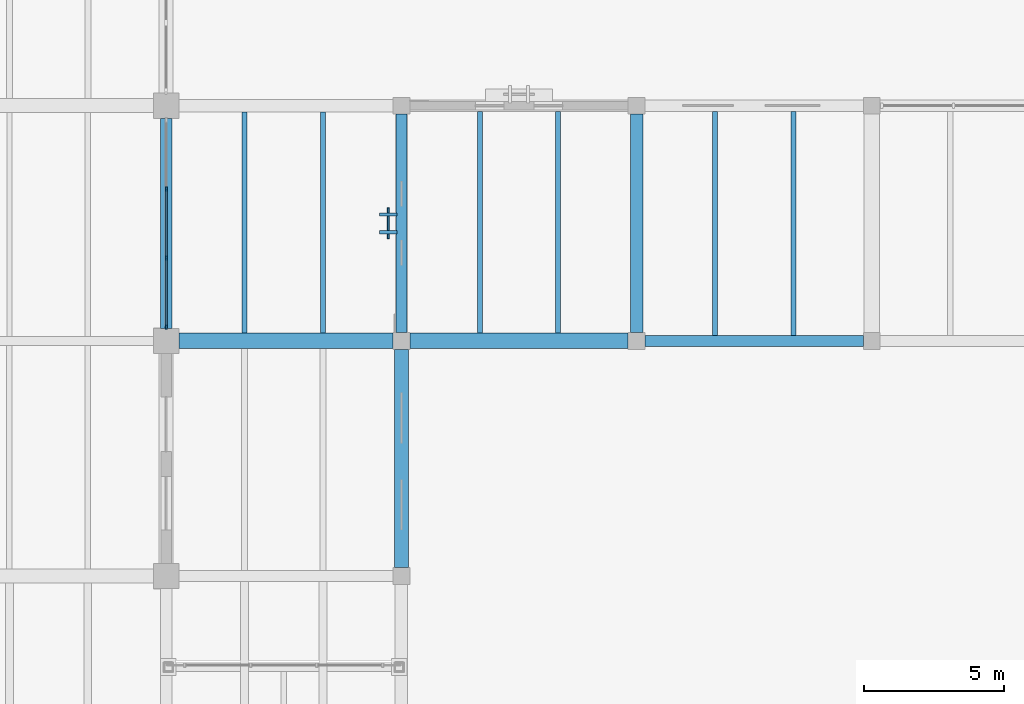
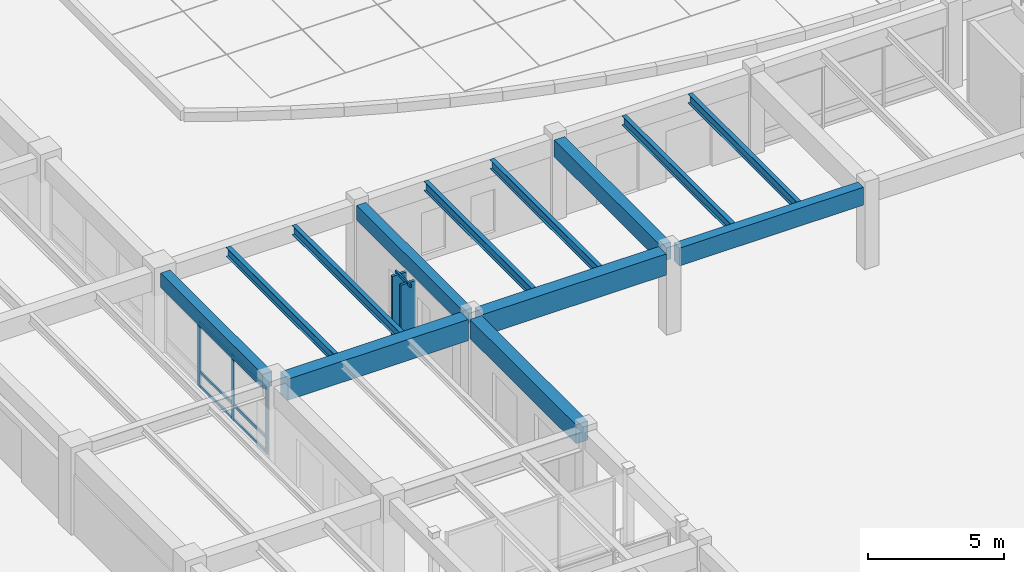
# One storey, part 32 of 135: 13 beams, 12 members, 2 elements without a shape of their own.
"""IFC4 building model written with IfcOpenShell, lengths in metres."""

from ifc_helpers import new_model, si_unit, direction, frame, origin, origin_2d, place, context, subcontext, project, spatial, rectangle, i_section, extrude, material, material_profile, profile_set, type_object, element, aggregate, save


model = new_model("IFC4")

# Units and contexts
model_context = context("Model", 3, precision=1e-05, world=origin(), true_north=direction((0.0, 1.0)))
body_context = subcontext(model_context, "Body", "Model", "MODEL_VIEW")
ifc_project = project(units=[si_unit("LENGTHUNIT", "METRE"), si_unit("AREAUNIT", "SQUARE_METRE"), si_unit("VOLUMEUNIT", "CUBIC_METRE"), si_unit("PLANEANGLEUNIT", "RADIAN"), si_unit("MASSUNIT", "GRAM", prefix="KILO")], contexts=[model_context])

# Site, building, storey
site_placement = place(None, origin())
site = spatial("IfcSite", under=ifc_project, at=site_placement, CompositionType="ELEMENT")
building_placement = place(site_placement, origin())
building = spatial("IfcBuilding", under=site, at=building_placement, Name="Cumbredor Promenade Congress Hotel", CompositionType="ELEMENT")
storey_placement = place(building_placement, origin())
storey = spatial("IfcBuildingStorey", under=building, at=storey_placement, Name="L00", CompositionType="ELEMENT", Elevation=0.0)

# Beams
ifc_material_1 = material(Name="Concrete C40/50", Category="concrete")
ifc_material_profile_1 = material_profile(ifc_material_1, rectangle(XDim=0.39990234375, YDim=0.64990234375, at=origin_2d()), Name="RC BEAM 400x650")
ifc_profile_set_1 = profile_set([ifc_material_profile_1], Name="Concrete C40/50")
beam_type_1 = type_object("IfcBeamType", Name="BM-RC-400x650", PredefinedType="BEAM", material=ifc_profile_set_1)
beam_1_placement = place(storey_placement, frame((67.199951171875, 42.449951171875, 3.31494140625), z_axis=(0.0, 1.0, 0.0), x_axis=(-1.0, 0.0, 0.0)))
element("IfcBeam", 1, at=beam_1_placement, inside=storey, type_object=beam_type_1, Name="L01 Y-Grid Beam 118", PredefinedType="BEAM", context=body_context, shape_type="SweptSolid", body=[
    extrude(rectangle(XDim=0.39990234375, YDim=0.64990234375, at=origin_2d()), origin(), (0.0, 0.0, 1.0), 7.5),
])
beam_2_placement = place(storey_placement, frame((75.60009765625, 42.300048828125, 3.31494140625), z_axis=(0.0, 1.0, 0.0), x_axis=(-1.0, 0.0, 0.0)))
element("IfcBeam", 2, at=beam_2_placement, inside=storey, type_object=beam_type_1, Name="L01 Y-Grid Beam 138", PredefinedType="BEAM", context=body_context, shape_type="SweptSolid", body=[
    extrude(rectangle(XDim=0.39990234375, YDim=0.64990234375, at=origin_2d()), origin(), (0.0, 0.0, 1.0), 7.800048828125),
])
ifc_material_profile_2 = material_profile(ifc_material_1, rectangle(XDim=0.449951171875, YDim=0.75, at=origin_2d()), Name="RC BEAM 450x750")
ifc_profile_set_2 = profile_set([ifc_material_profile_2], Name="Concrete C40/50")
beam_type_2 = type_object("IfcBeamType", Name="BM-RC-450x750", PredefinedType="BEAM", material=ifc_profile_set_2)
beam_3_placement = place(storey_placement, frame((84.0, 42.300048828125, 3.264892578125), z_axis=(0.0, 1.0, 0.0), x_axis=(-1.0, 0.0, 0.0)))
element("IfcBeam", 3, at=beam_3_placement, inside=storey, type_object=beam_type_2, Name="L01 Y-Grid Beam 151", PredefinedType="BEAM", context=body_context, shape_type="SweptSolid", body=[
    extrude(rectangle(XDim=0.449951171875, YDim=0.75, at=origin_2d()), origin(), (0.0, 0.0, 1.0), 7.800048828125),
])
ifc_material_profile_3 = material_profile(ifc_material_1, rectangle(XDim=0.5, YDim=0.85009765625, at=origin_2d()), Name="RC BEAM 500x850")
ifc_profile_set_3 = profile_set([ifc_material_profile_3], Name="Concrete C40/50")
beam_type_3 = type_object("IfcBeamType", Name="BM-RC-500x850", PredefinedType="BEAM", material=ifc_profile_set_3)
beam_4_placement = place(storey_placement, frame((75.60009765625, 33.89990234375, 3.215087890625), z_axis=(0.0, 1.0, 0.0), x_axis=(-1.0, 0.0, 0.0)))
element("IfcBeam", 4, at=beam_4_placement, inside=storey, type_object=beam_type_3, Name="L01 Y-Grid Beam 136", PredefinedType="BEAM", context=body_context, shape_type="SweptSolid", body=[
    extrude(rectangle(XDim=0.5, YDim=0.85009765625, at=origin_2d()), origin(), (0.0, 0.0, 1.0), 7.800048828125),
])
ifc_material_profile_4 = material_profile(ifc_material_1, rectangle(XDim=0.550048828125, YDim=0.949951171875, at=origin_2d()), Name="RC BEAM 550x950")
ifc_profile_set_4 = profile_set([ifc_material_profile_4], Name="Concrete C40/50")
beam_type_4 = type_object("IfcBeamType", Name="BM-RC-550x950", PredefinedType="BEAM", material=ifc_profile_set_4)
beam_5_placement = place(storey_placement, frame((67.64990234375, 42.0, 3.1650390625), z_axis=(1.0, 0.0, 0.0), x_axis=(0.0, 1.0, 0.0)))
element("IfcBeam", 5, at=beam_5_placement, inside=storey, type_object=beam_type_4, Name="L01 X-Grid Beam 117", PredefinedType="BEAM", context=body_context, shape_type="SweptSolid", body=[
    extrude(rectangle(XDim=0.550048828125, YDim=0.949951171875, at=origin_2d()), origin(), (0.0, 0.0, 1.0), 7.650146484375),
])
beam_6_placement = place(storey_placement, frame((75.89990234375, 42.0, 3.1650390625), z_axis=(1.0, 0.0, 0.0), x_axis=(0.0, 1.0, 0.0)))
element("IfcBeam", 6, at=beam_6_placement, inside=storey, type_object=beam_type_4, Name="L01 X-Grid Beam 137", PredefinedType="BEAM", context=body_context, shape_type="SweptSolid", body=[
    extrude(rectangle(XDim=0.550048828125, YDim=0.949951171875, at=origin_2d()), origin(), (0.0, 0.0, 1.0), 7.800048828125),
])

# Curtain wall, members
ifc_material_2 = material(Name="Thermally broken anodized aluminium and low-E glass", Category="aluminium")
curtain_wall_type_1 = type_object("IfcCurtainWallType", Name="Unitised Grand Foyer Curtain Wall CW-04", PredefinedType="NOTDEFINED", material=ifc_material_2)
curtain_wall_1_placement = place(storey_placement, origin())
curtain_wall_1 = element("IfcCurtainWall", 7, at=curtain_wall_1_placement, inside=storey, type_object=curtain_wall_type_1, Name="L00 Plenary Congress Hall East Curtain Wall 5", PredefinedType="NOTDEFINED")
ifc_material_3 = material(Name="Thermally broken anodized aluminium", Category="aluminium")
ifc_material_profile_5 = material_profile(ifc_material_3, rectangle(XDim=0.06494140625, YDim=0.159912109375, at=origin_2d()), Name="ALU MULLION 65x160")
ifc_profile_set_5 = profile_set([ifc_material_profile_5], Name="Thermally broken anodized aluminium")
member_type_1 = type_object("IfcMemberType", Name="Curtain Wall Mullion ML-01", PredefinedType="MULLION", material=ifc_profile_set_5)
member_1_placement = place(storey_placement, frame((67.199951171875, 42.5048828125, -0.008056640625), z_axis=(0.0, 0.0, 1.0), x_axis=(1.0, 0.0, 0.0)))
member_1 = element("IfcMember", 8, at=member_1_placement, type_object=member_type_1, Name="L00 Plenary Congress Hall East Curtain Wall 5 Mullion 1", PredefinedType="MULLION", context=body_context, shape_type="SweptSolid", body=[
    extrude(rectangle(XDim=0.06494140625, YDim=0.159912109375, at=origin_2d()), origin(), (0.0, 0.0, 1.0), 2.990966796875),
])
member_2_placement = place(storey_placement, frame((67.199951171875, 44.96826171875, -0.008056640625), z_axis=(0.0, 0.0, 1.0), x_axis=(1.0, 0.0, 0.0)))
member_2 = element("IfcMember", 9, at=member_2_placement, type_object=member_type_1, Name="L00 Plenary Congress Hall East Curtain Wall 5 Mullion 2", PredefinedType="MULLION", context=body_context, shape_type="SweptSolid", body=[
    extrude(rectangle(XDim=0.06494140625, YDim=0.159912109375, at=origin_2d()), origin(), (0.0, 0.0, 1.0), 2.990966796875),
])
member_3_placement = place(storey_placement, frame((67.199951171875, 47.431640625, -0.008056640625), z_axis=(0.0, 0.0, 1.0), x_axis=(1.0, 0.0, 0.0)))
member_3 = element("IfcMember", 10, at=member_3_placement, type_object=member_type_1, Name="L00 Plenary Congress Hall East Curtain Wall 5 Mullion 3", PredefinedType="MULLION", context=body_context, shape_type="SweptSolid", body=[
    extrude(rectangle(XDim=0.06494140625, YDim=0.159912109375, at=origin_2d()), origin(), (0.0, 0.0, 1.0), 2.990966796875),
])
ifc_material_profile_6 = material_profile(ifc_material_3, rectangle(XDim=0.06494140625, YDim=0.1298828125, at=origin_2d()), Name="ALU TRANSOM 65x130")
ifc_profile_set_6 = profile_set([ifc_material_profile_6], Name="Thermally broken anodized aluminium")
member_type_2 = type_object("IfcMemberType", Name="Curtain Wall Transom TR-01", PredefinedType="USERDEFINED", material=ifc_profile_set_6)
member_4_placement = place(storey_placement, frame((67.199951171875, 42.53759765625, 0.070068359375), z_axis=(0.0, 1.0, 0.0), x_axis=(-1.0, 0.0, 0.0)))
member_4 = element("IfcMember", 11, at=member_4_placement, type_object=member_type_2, Name="L00 Plenary Congress Hall East Curtain Wall 5 Transom 1.1", ObjectType="TRANSOM", PredefinedType="USERDEFINED", context=body_context, shape_type="SweptSolid", body=[
    extrude(rectangle(XDim=0.06494140625, YDim=0.1298828125, at=origin_2d()), origin(), (0.0, 0.0, 1.0), 2.398193359375),
])
member_5_placement = place(storey_placement, frame((67.199951171875, 42.53759765625, 0.719970703125), z_axis=(0.0, 1.0, 0.0), x_axis=(-1.0, 0.0, 0.0)))
member_5 = element("IfcMember", 12, at=member_5_placement, type_object=member_type_2, Name="L00 Plenary Congress Hall East Curtain Wall 5 Transom 1.2", ObjectType="TRANSOM", PredefinedType="USERDEFINED", context=body_context, shape_type="SweptSolid", body=[
    extrude(rectangle(XDim=0.06494140625, YDim=0.1298828125, at=origin_2d()), origin(), (0.0, 0.0, 1.0), 2.398193359375),
])
member_6_placement = place(storey_placement, frame((67.199951171875, 42.53759765625, 2.909912109375), z_axis=(0.0, 1.0, 0.0), x_axis=(-1.0, 0.0, 0.0)))
member_6 = element("IfcMember", 13, at=member_6_placement, type_object=member_type_2, Name="L00 Plenary Congress Hall East Curtain Wall 5 Transom 1.3", ObjectType="TRANSOM", PredefinedType="USERDEFINED", context=body_context, shape_type="SweptSolid", body=[
    extrude(rectangle(XDim=0.06494140625, YDim=0.1298828125, at=origin_2d()), origin(), (0.0, 0.0, 1.0), 2.398193359375),
])
member_7_placement = place(storey_placement, frame((67.199951171875, 45.000732421875, 0.070068359375), z_axis=(0.0, 1.0, 0.0), x_axis=(-1.0, 0.0, 0.0)))
member_7 = element("IfcMember", 14, at=member_7_placement, type_object=member_type_2, Name="L00 Plenary Congress Hall East Curtain Wall 5 Transom 2.1", ObjectType="TRANSOM", PredefinedType="USERDEFINED", context=body_context, shape_type="SweptSolid", body=[
    extrude(rectangle(XDim=0.06494140625, YDim=0.1298828125, at=origin_2d()), origin(), (0.0, 0.0, 1.0), 2.3984375),
])
member_8_placement = place(storey_placement, frame((67.199951171875, 45.000732421875, 0.719970703125), z_axis=(0.0, 1.0, 0.0), x_axis=(-1.0, 0.0, 0.0)))
member_8 = element("IfcMember", 15, at=member_8_placement, type_object=member_type_2, Name="L00 Plenary Congress Hall East Curtain Wall 5 Transom 2.2", ObjectType="TRANSOM", PredefinedType="USERDEFINED", context=body_context, shape_type="SweptSolid", body=[
    extrude(rectangle(XDim=0.06494140625, YDim=0.1298828125, at=origin_2d()), origin(), (0.0, 0.0, 1.0), 2.3984375),
])
member_9_placement = place(storey_placement, frame((67.199951171875, 45.000732421875, 2.909912109375), z_axis=(0.0, 1.0, 0.0), x_axis=(-1.0, 0.0, 0.0)))
member_9 = element("IfcMember", 16, at=member_9_placement, type_object=member_type_2, Name="L00 Plenary Congress Hall East Curtain Wall 5 Transom 2.3", ObjectType="TRANSOM", PredefinedType="USERDEFINED", context=body_context, shape_type="SweptSolid", body=[
    extrude(rectangle(XDim=0.06494140625, YDim=0.1298828125, at=origin_2d()), origin(), (0.0, 0.0, 1.0), 2.3984375),
])
aggregate(curtain_wall_1, [member_1, member_2, member_3, member_4, member_5, member_6, member_7, member_8, member_9])

# Curtain wall, member
curtain_wall_type_2 = type_object("IfcCurtainWallType", Name="Solar Brise-Soleil Screen Assembly CW-07", PredefinedType="NOTDEFINED", material=ifc_material_2)
curtain_wall_2_placement = place(storey_placement, origin())
curtain_wall_2 = element("IfcCurtainWall", 17, at=curtain_wall_2_placement, inside=storey, type_object=curtain_wall_type_2, Name="L00 Pier Brise-Soleil Screen 0043", PredefinedType="NOTDEFINED")
member_10_placement = place(storey_placement, frame((75.12744140625, 45.64990234375, 2.81494140625), z_axis=(0.0, 1.0, 0.0), x_axis=(-1.0, 0.0, 0.0)))
member_10 = element("IfcMember", 18, at=member_10_placement, type_object=member_type_2, Name="L00 Pier Brise-Soleil Header 0045", ObjectType="TRANSOM", PredefinedType="USERDEFINED", context=body_context, shape_type="SweptSolid", body=[
    extrude(rectangle(XDim=0.06494140625, YDim=0.1298828125, at=origin_2d()), origin(), (0.0, 0.0, 1.0), 1.10009765625),
])

# Beams
ifc_material_4 = material(Name="Steel ASTM A992 Grade 50", Category="steel")
ifc_material_profile_7 = material_profile(ifc_material_4, i_section(OverallWidth=0.180908203125, OverallDepth=0.4169921875, WebThickness=0.010986328125, FlangeThickness=0.018310546875, at=origin_2d()), Name="W16X57")
ifc_profile_set_7 = profile_set([ifc_material_profile_7], Name="Steel ASTM A992 Grade 50")
beam_type_5 = type_object("IfcBeamType", Name="JST-W16X57", PredefinedType="JOIST", material=ifc_profile_set_7)
for number, where, z_axis, x_axis, name in (
    (19, (70.0, 42.27490234375, 3.431396484375), (0.0, 1.0, 0.0), (-1.0, 0.0, 0.0), "L01 Secondary Floor Joist 0070"),
    (20, (72.800048828125, 42.27490234375, 3.431396484375), (0.0, 1.0, 0.0), (-1.0, 0.0, 0.0), "L01 Secondary Floor Joist 0071"),
):
    element("IfcBeam", number, at=place(storey_placement, frame(where, z_axis=z_axis, x_axis=x_axis)), inside=storey, type_object=beam_type_5, Name=name, PredefinedType="JOIST", context=body_context, shape_type="SweptSolid", body=[
        extrude(i_section(OverallWidth=0.180908203125, OverallDepth=0.4169921875, WebThickness=0.010986328125, FlangeThickness=0.018310546875, at=origin_2d()), origin(), (0.0, 0.0, 1.0), 7.900146484375),
    ])
for number, where, z_axis, x_axis, name in (
    (21, (78.39990234375, 42.27490234375, 3.431396484375), (0.0, 1.0, 0.0), (-1.0, 0.0, 0.0), "L01 Secondary Floor Joist 0080"),
    (22, (81.199951171875, 42.27490234375, 3.431396484375), (0.0, 1.0, 0.0), (-1.0, 0.0, 0.0), "L01 Secondary Floor Joist 0081"),
):
    element("IfcBeam", number, at=place(storey_placement, frame(where, z_axis=z_axis, x_axis=x_axis)), inside=storey, type_object=beam_type_5, Name=name, PredefinedType="JOIST", context=body_context, shape_type="SweptSolid", body=[
        extrude(i_section(OverallWidth=0.180908203125, OverallDepth=0.4169921875, WebThickness=0.010986328125, FlangeThickness=0.018310546875, at=origin_2d()), origin(), (0.0, 0.0, 1.0), 7.925048828125),
    ])
for number, where, z_axis, x_axis, name in (
    (23, (86.800048828125, 42.199951171875, 3.431396484375), (0.0, 1.0, 0.0), (-1.0, 0.0, 0.0), "L01 Secondary Floor Joist 0090"),
    (24, (89.60009765625, 42.199951171875, 3.431396484375), (0.0, 1.0, 0.0), (-1.0, 0.0, 0.0), "L01 Secondary Floor Joist 0091"),
):
    element("IfcBeam", number, at=place(storey_placement, frame(where, z_axis=z_axis, x_axis=x_axis)), inside=storey, type_object=beam_type_5, Name=name, PredefinedType="JOIST", context=body_context, shape_type="SweptSolid", body=[
        extrude(i_section(OverallWidth=0.180908203125, OverallDepth=0.4169921875, WebThickness=0.010986328125, FlangeThickness=0.018310546875, at=origin_2d()), origin(), (0.0, 0.0, 1.0), 8.0),
    ])
ifc_material_profile_8 = material_profile(ifc_material_1, rectangle(XDim=0.39990234375, YDim=0.800048828125, at=origin_2d()), Name="RC SPANDREL 400x800")
ifc_profile_set_8 = profile_set([ifc_material_profile_8], Name="Concrete C40/50")
beam_type_6 = type_object("IfcBeamType", Name="SP-RC-400x800", PredefinedType="SPANDREL", material=ifc_profile_set_8)
beam_7_placement = place(storey_placement, frame((84.300048828125, 42.0, 3.239990234375), z_axis=(1.0, 0.0, 0.0), x_axis=(0.0, 1.0, 0.0)))
element("IfcBeam", 25, at=beam_7_placement, inside=storey, type_object=beam_type_6, Name="L01 X-Grid Beam 150", PredefinedType="SPANDREL", context=body_context, shape_type="SweptSolid", body=[
    extrude(rectangle(XDim=0.39990234375, YDim=0.800048828125, at=origin_2d()), origin(), (0.0, 0.0, 1.0), 7.800048828125),
])

# Member
ifc_material_profile_9 = material_profile(ifc_material_3, rectangle(XDim=0.110107421875, YDim=0.6201171875, at=origin_2d()), Name="ARCH FIN 110x620")
ifc_profile_set_9 = profile_set([ifc_material_profile_9], Name="Thermally broken anodized aluminium")
member_type_3 = type_object("IfcMemberType", Name="Vertical Bronze Brise-Soleil Fin BSF-02 110x620", PredefinedType="USERDEFINED", material=ifc_profile_set_9)
member_11_placement = place(storey_placement, frame((75.12744140625, 45.8798828125, 0.02001953125), z_axis=(0.0, 0.0, 1.0), x_axis=(0.0, 1.0, 0.0)))
member_11 = element("IfcMember", 26, at=member_11_placement, type_object=member_type_3, Name="L00 Pier Brise-Soleil Fin 0044", ObjectType="SOLAR FIN", PredefinedType="USERDEFINED", context=body_context, shape_type="SweptSolid", body=[
    extrude(rectangle(XDim=0.110107421875, YDim=0.6201171875, at=origin_2d()), origin(), (0.0, 0.0, 1.0), 2.8349609375),
])

member_12_placement = place(storey_placement, frame((75.12744140625, 46.52001953125, 0.02001953125), z_axis=(0.0, 0.0, 1.0), x_axis=(0.0, 1.0, 0.0)))
member_12 = element("IfcMember", 27, at=member_12_placement, type_object=member_type_3, Name="L00 Pier Brise-Soleil Fin 0045", ObjectType="SOLAR FIN", PredefinedType="USERDEFINED", context=body_context, shape_type="SweptSolid", body=[
    extrude(rectangle(XDim=0.110107421875, YDim=0.6201171875, at=origin_2d()), origin(), (0.0, 0.0, 1.0), 2.8349609375),
])

aggregate(curtain_wall_2, [member_11, member_12, member_10])

save(model, "model.ifc")
